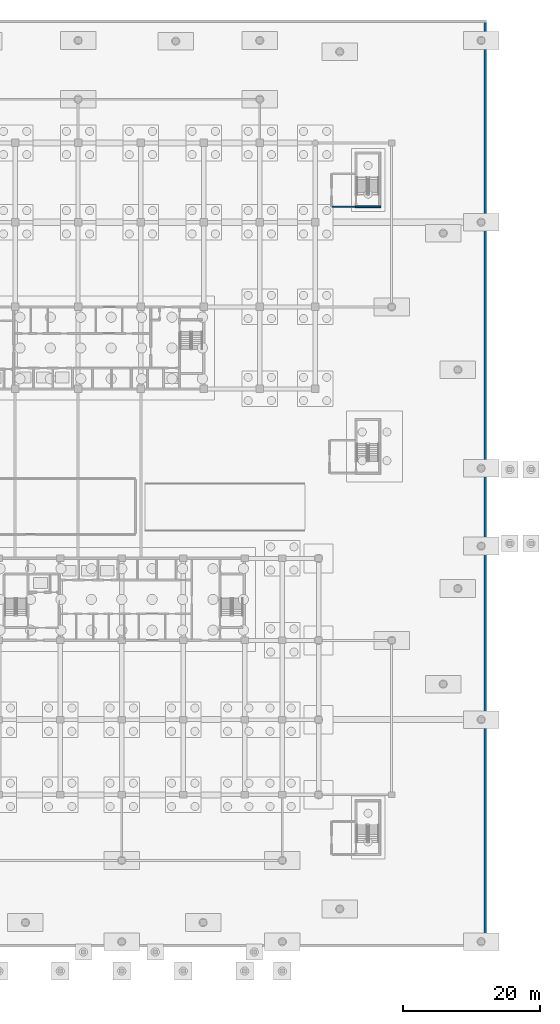
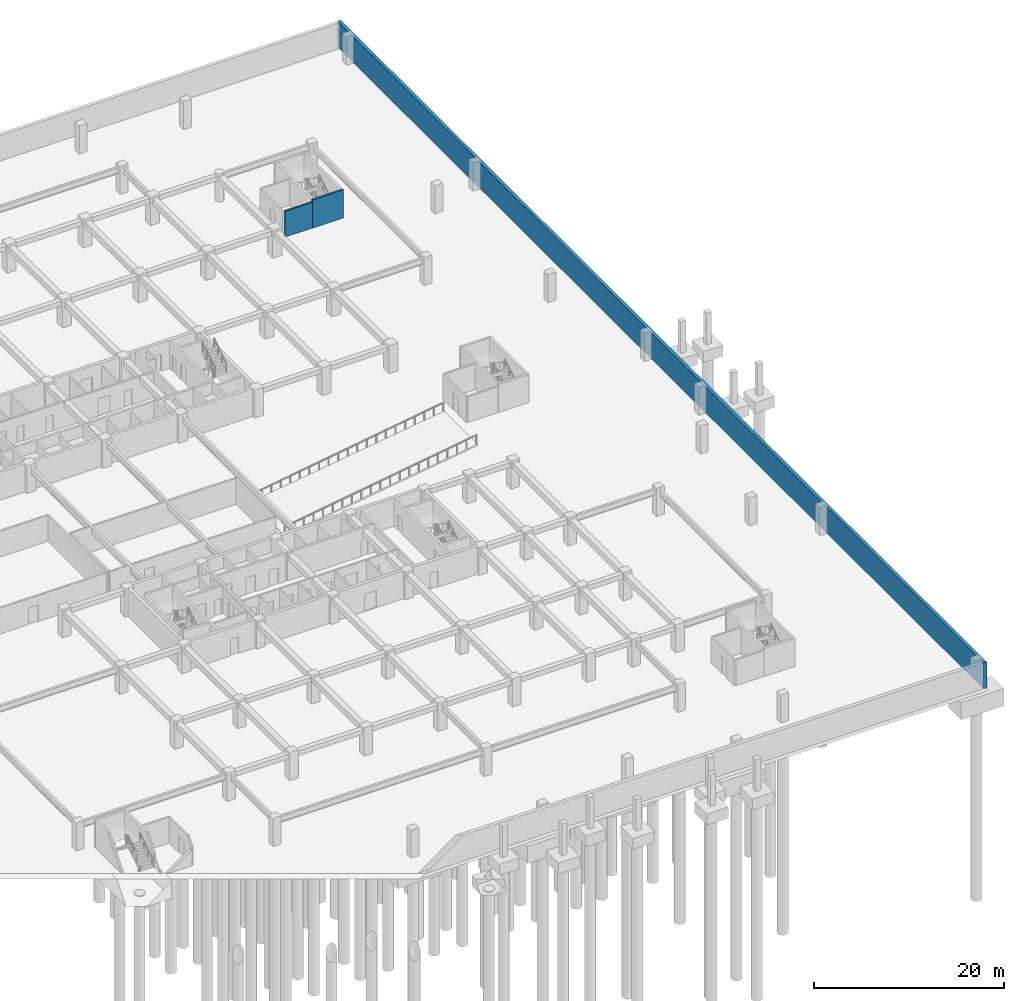
# One storey, part 16 of 26: 3 walls.
"""IFC4 building model written with IfcOpenShell, lengths in metres."""

from ifc_helpers import new_model, si_unit, direction, frame, frame_2d, origin, place, context, subcontext, project, spatial, rectangle, extrude, material, layer, layer_set, type_object, element, save


model = new_model("IFC4")

# Units and contexts
model_context = context("Model", 3, precision=1e-05, world=origin(), true_north=direction((0.0, 1.0)))
body_context = subcontext(model_context, "Body", "Model", "MODEL_VIEW")
ifc_project = project(units=[si_unit("LENGTHUNIT", "METRE"), si_unit("AREAUNIT", "SQUARE_METRE"), si_unit("VOLUMEUNIT", "CUBIC_METRE"), si_unit("PLANEANGLEUNIT", "RADIAN"), si_unit("MASSUNIT", "GRAM", prefix="KILO")], contexts=[model_context])

# Site, building, storey
site_placement = place(None, origin())
site = spatial("IfcSite", under=ifc_project, at=site_placement, CompositionType="ELEMENT")
building_placement = place(site_placement, origin())
building = spatial("IfcBuilding", under=site, at=building_placement, Name="Korimba Cascade Residences", CompositionType="ELEMENT")
storey_placement = place(building_placement, frame((0.0, 0.0, -10.800048828125)))
storey = spatial("IfcBuildingStorey", under=building, at=storey_placement, Name="B03", CompositionType="ELEMENT", Elevation=-10.800048828125)

# Walls
ifc_material_1 = material(Name="Concrete C50/60", Category="concrete")
ifc_layer_1 = layer(ifc_material_1, 0.39990234375)
ifc_layer_set_1 = layer_set([ifc_layer_1], Name="Concrete C50/60")
wall_type_1 = type_object("IfcWallType", Name="EW-RET-400", PredefinedType="USERDEFINED", material=ifc_layer_set_1)
wall_1_placement = place(storey_placement, frame((153.300048828125, -26.5, 0.0), z_axis=(0.0, 0.0, 1.0), x_axis=(0.0, 1.0, 0.0)))
element("IfcWall", 1, at=wall_1_placement, inside=storey, type_object=wall_type_1, Name="B03 Basement Retaining Wall E", ObjectType="RETAININGWALL", PredefinedType="USERDEFINED", context=body_context, shape_type="SweptSolid", body=[
    extrude(rectangle(XDim=135.699951171875, YDim=0.39990234375, at=frame_2d((67.85009765625, 0.0))), origin(), (0.0, 0.0, 1.0), 3.300048828125),
])
ifc_material_2 = material(Name="Concrete C40/50", Category="concrete")
ifc_layer_2 = layer(ifc_material_2, 0.199951171875)
ifc_layer_set_2 = layer_set([ifc_layer_2], Name="Concrete C40/50")
wall_type_2 = type_object("IfcWallType", Name="WAL-PART-200", PredefinedType="PARTITIONING", material=ifc_layer_set_2)
wall_2_placement = place(storey_placement, frame((130.89990234375, 81.875, 0.0), z_axis=(0.0, 0.0, 1.0), x_axis=(1.0, 0.0, 0.0)))
element("IfcWall", 2, at=wall_2_placement, inside=storey, type_object=wall_type_2, Name="B03 Partition Wall CW-B03-PL4S", PredefinedType="PARTITIONING", context=body_context, shape_type="SweptSolid", body=[
    extrude(rectangle(XDim=3.35009765625, YDim=0.199951171875, at=frame_2d((1.675048828125, 0.0))), origin(), (0.0, 0.0, 1.0), 3.300048828125),
])
ifc_layer_3 = layer(ifc_material_1, 0.25)
ifc_layer_set_3 = layer_set([ifc_layer_3], Name="Concrete C50/60")
wall_type_3 = type_object("IfcWallType", Name="WAL-SHAFT-250", PredefinedType="SHEAR", material=ifc_layer_set_3)
wall_3_placement = place(storey_placement, frame((134.25, 81.875, 0.0), z_axis=(0.0, 0.0, 1.0), x_axis=(1.0, 0.0, 0.0)))
element("IfcWall", 3, at=wall_3_placement, inside=storey, type_object=wall_type_3, Name="B03 Core Shear Wall CW-B03-STP4S", PredefinedType="SHEAR", context=body_context, shape_type="SweptSolid", body=[
    extrude(rectangle(XDim=3.739990234375, YDim=0.25, at=frame_2d((1.8701171875, 0.0))), origin(), (0.0, 0.0, 1.0), 3.60009765625),
])

save(model, "model.ifc")
